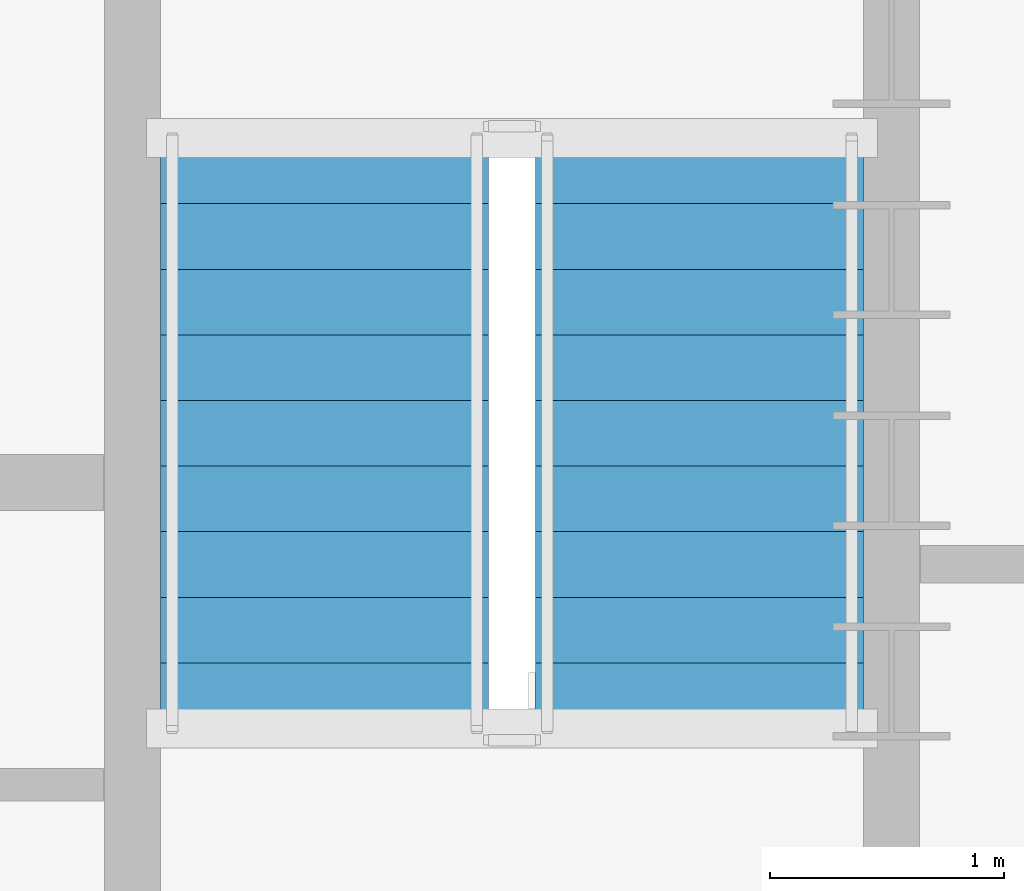
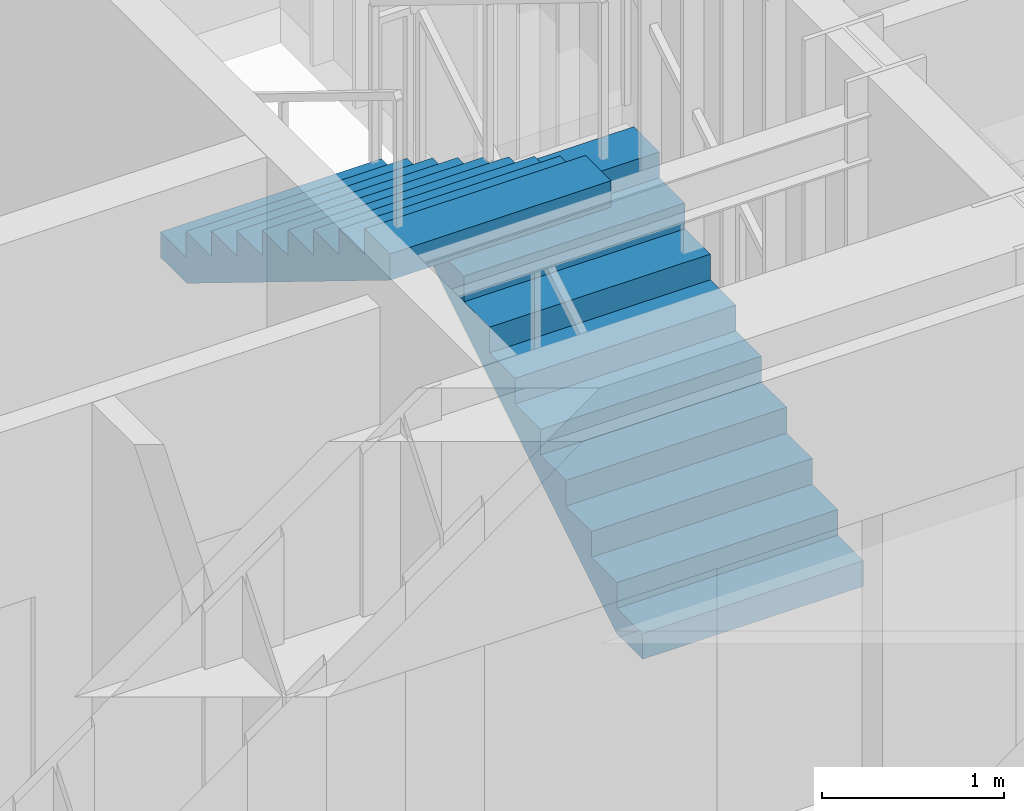
# One storey, part 12 of 15: 2 stair flights, 1 element without a shape of its own.
"""IFC4 building model written with IfcOpenShell, lengths in metres."""

from ifc_helpers import new_model, si_unit, direction, frame, origin, place, context, subcontext, project, spatial, polyline, outline, extrude, material, type_object, element, aggregate, save


model = new_model("IFC4")

# Units and contexts
model_context = context("Model", 3, precision=1e-05, world=origin(), true_north=direction((0.0, 1.0)))
body_context = subcontext(model_context, "Body", "Model", "MODEL_VIEW")
ifc_project = project(units=[si_unit("LENGTHUNIT", "METRE"), si_unit("AREAUNIT", "SQUARE_METRE"), si_unit("VOLUMEUNIT", "CUBIC_METRE"), si_unit("PLANEANGLEUNIT", "RADIAN"), si_unit("MASSUNIT", "GRAM", prefix="KILO")], contexts=[model_context])

# Site, building, storey
site_placement = place(None, origin())
site = spatial("IfcSite", under=ifc_project, at=site_placement, CompositionType="ELEMENT")
building_placement = place(site_placement, origin())
building = spatial("IfcBuilding", under=site, at=building_placement, Name="Haldorwick Loom Tower", CompositionType="ELEMENT")
storey_placement = place(building_placement, frame((0.0, 0.0, 81.800048828125)))
storey = spatial("IfcBuildingStorey", under=building, at=storey_placement, Name="L21", CompositionType="ELEMENT", Elevation=81.800048828125)

# Stair, stair flights
ifc_material = material(Name="Concrete C40 (40 MPa)", Category="concrete")
stair_type = type_object("IfcStairType", Name="STR-STR-CORE", PredefinedType="HALF_TURN_STAIR", material=ifc_material)
stair_placement = place(storey_placement, origin())
stair = element("IfcStair", 1, at=stair_placement, inside=storey, type_object=stair_type, Name="L21 Exit Stair ST-02", PredefinedType="HALF_TURN_STAIR")
stair_flight_type = type_object("IfcStairFlightType", Name="STR-STF-1250", PredefinedType="STRAIGHT", material=ifc_material)
stair_flight_1_placement = place(storey_placement, frame((49.25, 28.39990234375, 0.0), z_axis=(0.0, 0.0, 1.0), x_axis=(0.0, 1.0, 0.0)))
stair_flight_1 = element("IfcStairFlight", 2, at=stair_flight_1_placement, type_object=stair_flight_type, Name="ST-02 flight 1", NumberOfRisers=10, NumberOfTreads=9, PredefinedType="STRAIGHT", RiserHeight=0.1725, TreadLength=0.28, context=body_context, shape_type="SweptSolid", body=[
    extrude(outline(polyline([(0.0, 0.0), (0.0, 0.172607421875), (0.280029296875, 0.172607421875), (0.280029296875, 0.344970703125), (0.56005859375, 0.344970703125), (0.56005859375, 0.517578125), (0.840087890625, 0.517578125), (0.840087890625, 0.68994140625), (1.1201171875, 0.68994140625), (1.1201171875, 0.862548828125), (1.39990234375, 0.862548828125), (1.39990234375, 1.034912109375), (1.679931640625, 1.034912109375), (1.679931640625, 1.20751953125), (1.9599609375, 1.20751953125), (1.9599609375, 1.3798828125), (2.239990234375, 1.3798828125), (2.239990234375, 1.552490234375), (2.52001953125, 1.552490234375), (2.52001953125, 1.72509765625), (2.52001953125, 1.37646484375), (0.285888671875, 0.0), (0.0, 0.0)])), frame((0.0, 0.699951171875, 0.0), z_axis=(0.0, -1.0, 0.0), x_axis=(1.0, 0.0, 0.0)), (0.0, 0.0, 1.0), 1.39990234375),
])
stair_flight_2_placement = place(storey_placement, frame((47.64990234375, 30.919921875, 1.724853515625), z_axis=(0.0, 0.0, 1.0), x_axis=(0.0, -1.0, 0.0)))
stair_flight_2 = element("IfcStairFlight", 3, at=stair_flight_2_placement, type_object=stair_flight_type, Name="ST-02 flight 2", NumberOfRisers=10, NumberOfTreads=9, PredefinedType="STRAIGHT", RiserHeight=0.1725, TreadLength=0.28, context=body_context, shape_type="SweptSolid", body=[
    extrude(outline(polyline([(0.0, 0.0), (0.0, 0.172607421875), (0.280029296875, 0.172607421875), (0.280029296875, 0.344970703125), (0.56005859375, 0.344970703125), (0.56005859375, 0.517578125), (0.840087890625, 0.517578125), (0.840087890625, 0.68994140625), (1.1201171875, 0.68994140625), (1.1201171875, 0.862548828125), (1.39990234375, 0.862548828125), (1.39990234375, 1.034912109375), (1.679931640625, 1.034912109375), (1.679931640625, 1.20751953125), (1.9599609375, 1.20751953125), (1.9599609375, 1.3798828125), (2.239990234375, 1.3798828125), (2.239990234375, 1.552490234375), (2.52001953125, 1.552490234375), (2.52001953125, 1.72509765625), (2.52001953125, 1.37646484375), (0.285888671875, 0.0), (0.0, 0.0)])), frame((0.0, 0.699951171875, 0.0), z_axis=(0.0, -1.0, 0.0), x_axis=(1.0, 0.0, 0.0)), (0.0, 0.0, 1.0), 1.39990234375),
])
aggregate(stair, [stair_flight_1, stair_flight_2])

save(model, "model.ifc")
